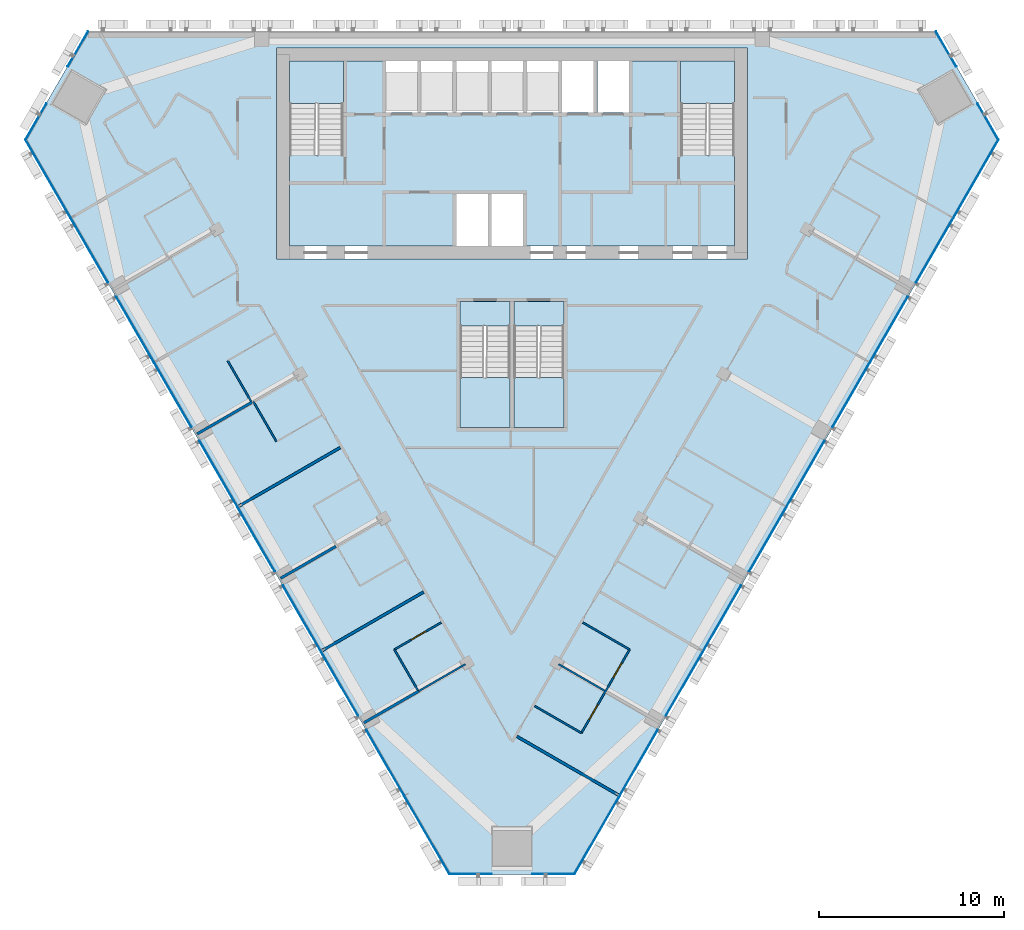
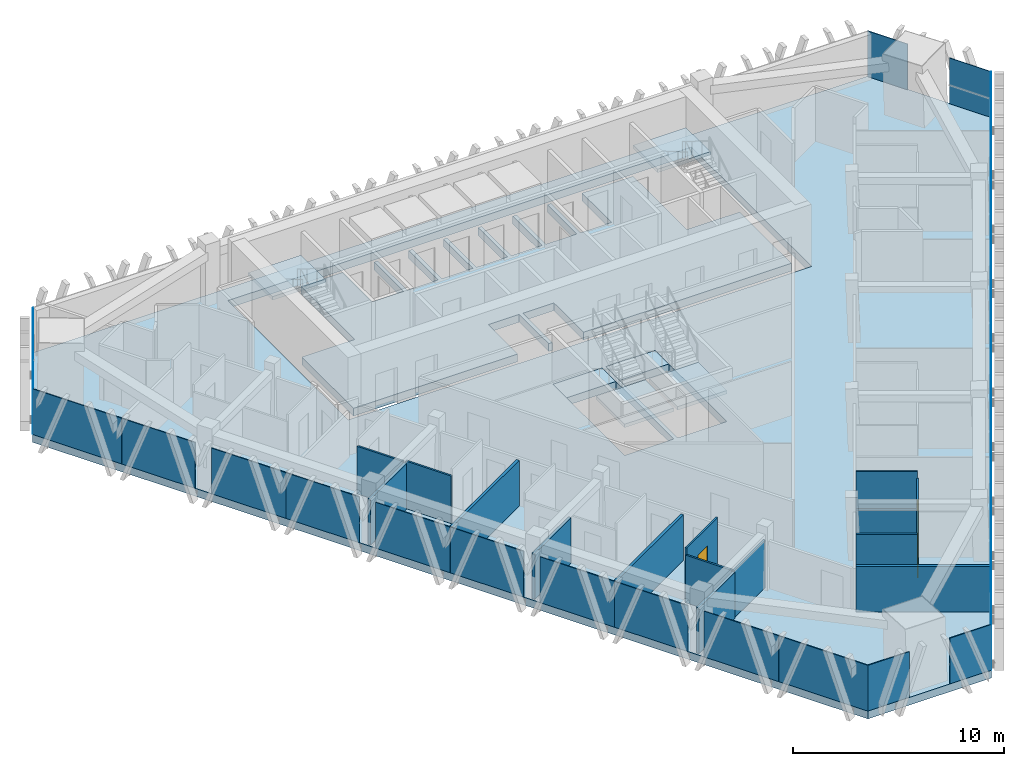
# One storey, part 8 of 16: 26 plates, 15 walls, 8 slabs, 3 doors, 3 openings, 9 elements without a shape of their own.
"""IFC4 building model written with IfcOpenShell, lengths in metres."""

from ifc_helpers import new_model, si_unit, direction, frame, frame_2d, origin, origin_2d, place, context, subcontext, project, spatial, polyline, rectangle, outline, extrude, material, layer, layer_set, type_object, element, fill, aggregate, save


model = new_model("IFC4")

# Units and contexts
model_context = context("Model", 3, precision=1e-05, world=origin(), true_north=direction((0.0, 1.0)))
body_context = subcontext(model_context, "Body", "Model", "MODEL_VIEW")
ifc_project = project(units=[si_unit("LENGTHUNIT", "METRE"), si_unit("AREAUNIT", "SQUARE_METRE"), si_unit("VOLUMEUNIT", "CUBIC_METRE"), si_unit("PLANEANGLEUNIT", "RADIAN"), si_unit("MASSUNIT", "GRAM", prefix="KILO")], contexts=[model_context])

# Site, building, storey
site_placement = place(None, origin())
site = spatial("IfcSite", under=ifc_project, at=site_placement, CompositionType="ELEMENT")
building_placement = place(site_placement, origin())
building = spatial("IfcBuilding", under=site, at=building_placement, Name="Altiplano Prism Tower", CompositionType="ELEMENT")
storey_placement = place(building_placement, frame((0.0, 0.0, 178.199951171875)))
storey = spatial("IfcBuildingStorey", under=building, at=storey_placement, Name="L46", CompositionType="ELEMENT", Elevation=178.199951171875)

# Curtain wall, plates
ifc_material_1 = material(Name="Aluminium and glass", Category="aluminium")
ifc_layer_1 = layer(ifc_material_1, 0.280029296875)
ifc_layer_set_1 = layer_set([ifc_layer_1], Name="Aluminium and glass")
curtain_wall_type = type_object("IfcCurtainWallType", Name="CW1 typical co-living unitised curtain wall", PredefinedType="NOTDEFINED", material=ifc_layer_set_1)
curtain_wall_1_placement = place(storey_placement, origin())
curtain_wall_1 = element("IfcCurtainWall", 1, at=curtain_wall_1_placement, inside=storey, type_object=curtain_wall_type, Name="CW1 curtain wall north-west chamfer L46", PredefinedType="NOTDEFINED")
ifc_material_2 = material(Name="Clear glass", Category="glass")
ifc_layer_2 = layer(ifc_material_2, 0.0400390625)
ifc_layer_set_2 = layer_set([ifc_layer_2], Name="Clear glass")
plate_type = type_object("IfcPlateType", Name="CW1 insulated glass unit 40", PredefinedType="CURTAIN_PANEL", material=ifc_layer_set_2)
plate_1_placement = place(storey_placement, frame((61.579833984375, 104.035888671875, 0.0), z_axis=(0.0, 0.0, 1.0), x_axis=(-0.500000021887, -0.866025391148, 0.0)))
plate_1 = element("IfcPlate", 2, at=plate_1_placement, type_object=plate_type, Name="CW1 panel", PredefinedType="CURTAIN_PANEL", context=body_context, shape_type="SweptSolid", body=[
    extrude(rectangle(XDim=2.193603515625, YDim=0.0400390625, at=origin_2d()), origin(), (0.0, 0.0, 1.0), 2.64990234375),
])
plate_2_placement = place(storey_placement, frame((59.31787109375, 100.1181640625, 0.0), z_axis=(0.0, 0.0, 1.0), x_axis=(-0.500000021887, -0.866025391148, 0.0)))
plate_2 = element("IfcPlate", 3, at=plate_2_placement, type_object=plate_type, Name="CW1 panel", PredefinedType="CURTAIN_PANEL", context=body_context, shape_type="SweptSolid", body=[
    extrude(rectangle(XDim=2.273681640625, YDim=0.0400390625, at=origin_2d()), origin(), (0.0, 0.0, 1.0), 2.64990234375),
])
aggregate(curtain_wall_1, [plate_1, plate_2])

curtain_wall_2_placement = place(storey_placement, origin())
curtain_wall_2 = element("IfcCurtainWall", 4, at=curtain_wall_2_placement, inside=storey, type_object=curtain_wall_type, Name="CW1 curtain wall south-west face L46", PredefinedType="NOTDEFINED")
plate_3_placement = place(storey_placement, frame((59.96875, 97.033447265625, 0.0), z_axis=(0.0, 0.0, 1.0), x_axis=(0.499999995995, -0.866025406097, 0.0)))
plate_3 = element("IfcPlate", 5, at=plate_3_placement, type_object=plate_type, Name="CW1 panel", PredefinedType="CURTAIN_PANEL", context=body_context, shape_type="SweptSolid", body=[
    extrude(rectangle(XDim=4.876708984375, YDim=0.0400390625, at=origin_2d()), origin(), (0.0, 0.0, 1.0), 2.64990234375),
])
plate_4_placement = place(storey_placement, frame((62.195556640625, 93.176513671875, 0.0), z_axis=(0.0, 0.0, 1.0), x_axis=(0.499999995995, -0.866025406097, 0.0)))
plate_4 = element("IfcPlate", 6, at=plate_4_placement, type_object=plate_type, Name="CW1 panel", PredefinedType="CURTAIN_PANEL", context=body_context, shape_type="SweptSolid", body=[
    extrude(rectangle(XDim=4.010498046875, YDim=0.0400390625, at=origin_2d()), origin(), (0.0, 0.0, 1.0), 2.64990234375),
])
plate_5_placement = place(storey_placement, frame((64.66552734375, 88.898193359375, 0.0), z_axis=(0.0, 0.0, 1.0), x_axis=(0.499999995995, -0.866025406097, 0.0)))
plate_5 = element("IfcPlate", 7, at=plate_5_placement, type_object=plate_type, Name="CW1 panel", PredefinedType="CURTAIN_PANEL", context=body_context, shape_type="SweptSolid", body=[
    extrude(rectangle(XDim=4.08935546875, YDim=0.0400390625, at=origin_2d()), origin(), (0.0, 0.0, 1.0), 2.64990234375),
])
plate_6_placement = place(storey_placement, frame((66.695556640625, 85.38232421875, 0.0), z_axis=(0.0, 0.0, 1.0), x_axis=(0.499999995995, -0.866025406097, 0.0)))
plate_6 = element("IfcPlate", 8, at=plate_6_placement, type_object=plate_type, Name="CW1 panel", PredefinedType="CURTAIN_PANEL", context=body_context, shape_type="SweptSolid", body=[
    extrude(rectangle(XDim=4.010498046875, YDim=0.0400390625, at=origin_2d()), origin(), (0.0, 0.0, 1.0), 2.64990234375),
])
plate_7_placement = place(storey_placement, frame((69.16552734375, 81.10400390625, 0.0), z_axis=(0.0, 0.0, 1.0), x_axis=(0.499999995995, -0.866025406097, 0.0)))
plate_7 = element("IfcPlate", 9, at=plate_7_placement, type_object=plate_type, Name="CW1 panel", PredefinedType="CURTAIN_PANEL", context=body_context, shape_type="SweptSolid", body=[
    extrude(rectangle(XDim=4.08935546875, YDim=0.0400390625, at=origin_2d()), origin(), (0.0, 0.0, 1.0), 2.64990234375),
])
plate_8_placement = place(storey_placement, frame((71.195556640625, 77.588134765625, 0.0), z_axis=(0.0, 0.0, 1.0), x_axis=(0.499999995995, -0.866025406097, 0.0)))
plate_8 = element("IfcPlate", 10, at=plate_8_placement, type_object=plate_type, Name="CW1 panel", PredefinedType="CURTAIN_PANEL", context=body_context, shape_type="SweptSolid", body=[
    extrude(rectangle(XDim=4.010498046875, YDim=0.0400390625, at=origin_2d()), origin(), (0.0, 0.0, 1.0), 2.64990234375),
])
plate_9_placement = place(storey_placement, frame((73.66552734375, 73.309814453125, 0.0), z_axis=(0.0, 0.0, 1.0), x_axis=(0.499999995995, -0.866025406097, 0.0)))
plate_9 = element("IfcPlate", 11, at=plate_9_placement, type_object=plate_type, Name="CW1 panel", PredefinedType="CURTAIN_PANEL", context=body_context, shape_type="SweptSolid", body=[
    extrude(rectangle(XDim=4.08935546875, YDim=0.0400390625, at=origin_2d()), origin(), (0.0, 0.0, 1.0), 2.64990234375),
])
plate_10_placement = place(storey_placement, frame((75.695556640625, 69.793701171875, 0.0), z_axis=(0.0, 0.0, 1.0), x_axis=(0.499999995995, -0.866025406097, 0.0)))
plate_10 = element("IfcPlate", 12, at=plate_10_placement, type_object=plate_type, Name="CW1 panel", PredefinedType="CURTAIN_PANEL", context=body_context, shape_type="SweptSolid", body=[
    extrude(rectangle(XDim=4.010498046875, YDim=0.0400390625, at=origin_2d()), origin(), (0.0, 0.0, 1.0), 2.64990234375),
])
plate_11_placement = place(storey_placement, frame((78.16552734375, 65.515625, 0.0), z_axis=(0.0, 0.0, 1.0), x_axis=(0.499999995995, -0.866025406097, 0.0)))
plate_11 = element("IfcPlate", 13, at=plate_11_placement, type_object=plate_type, Name="CW1 panel", PredefinedType="CURTAIN_PANEL", context=body_context, shape_type="SweptSolid", body=[
    extrude(rectangle(XDim=4.08935546875, YDim=0.0400390625, at=origin_2d()), origin(), (0.0, 0.0, 1.0), 2.64990234375),
])
plate_12_placement = place(storey_placement, frame((80.412109375, 61.62451171875, 0.0), z_axis=(0.0, 0.0, 1.0), x_axis=(0.499999995995, -0.866025406097, 0.0)))
plate_12 = element("IfcPlate", 14, at=plate_12_placement, type_object=plate_type, Name="CW1 panel", PredefinedType="CURTAIN_PANEL", context=body_context, shape_type="SweptSolid", body=[
    extrude(rectangle(XDim=4.876708984375, YDim=0.0400390625, at=origin_2d()), origin(), (0.0, 0.0, 1.0), 2.64990234375),
])
aggregate(curtain_wall_2, [plate_3, plate_4, plate_5, plate_6, plate_7, plate_8, plate_9, plate_10, plate_11, plate_12])

curtain_wall_3_placement = place(storey_placement, origin())
curtain_wall_3 = element("IfcCurtainWall", 15, at=curtain_wall_3_placement, inside=storey, type_object=curtain_wall_type, Name="CW1 curtain wall south chamfer L46", PredefinedType="NOTDEFINED")
plate_13_placement = place(storey_placement, frame((82.75830078125, 59.5185546875, 0.0), z_axis=(0.0, 0.0, 1.0), x_axis=(1.0, 0.0, 0.0)))
plate_13 = element("IfcPlate", 16, at=plate_13_placement, type_object=plate_type, Name="CW1 panel", PredefinedType="CURTAIN_PANEL", context=body_context, shape_type="SweptSolid", body=[
    extrude(rectangle(XDim=2.273681640625, YDim=0.0400390625, at=origin_2d()), origin(), (0.0, 0.0, 1.0), 2.64990234375),
])
plate_14_placement = place(storey_placement, frame((87.24169921875, 59.5185546875, 0.0), z_axis=(0.0, 0.0, 1.0), x_axis=(1.0, 0.0, 0.0)))
plate_14 = element("IfcPlate", 17, at=plate_14_placement, type_object=plate_type, Name="CW1 panel", PredefinedType="CURTAIN_PANEL", context=body_context, shape_type="SweptSolid", body=[
    extrude(rectangle(XDim=2.273681640625, YDim=0.0400390625, at=origin_2d()), origin(), (0.0, 0.0, 1.0), 2.64990234375),
])
aggregate(curtain_wall_3, [plate_13, plate_14])

curtain_wall_4_placement = place(storey_placement, origin())
curtain_wall_4 = element("IfcCurtainWall", 18, at=curtain_wall_4_placement, inside=storey, type_object=curtain_wall_type, Name="CW1 curtain wall south-east face L46", PredefinedType="NOTDEFINED")
plate_15_placement = place(storey_placement, frame((89.587890625, 61.62451171875, 0.0), z_axis=(0.0, 0.0, 1.0), x_axis=(0.499999995995, 0.866025406097, 0.0)))
plate_15 = element("IfcPlate", 19, at=plate_15_placement, type_object=plate_type, Name="CW1 panel", PredefinedType="CURTAIN_PANEL", context=body_context, shape_type="SweptSolid", body=[
    extrude(rectangle(XDim=4.876708984375, YDim=0.0400390625, at=origin_2d()), origin(), (0.0, 0.0, 1.0), 2.64990234375),
])
plate_16_placement = place(storey_placement, frame((91.83447265625, 65.515625, 0.0), z_axis=(0.0, 0.0, 1.0), x_axis=(0.499999995995, 0.866025406097, 0.0)))
plate_16 = element("IfcPlate", 20, at=plate_16_placement, type_object=plate_type, Name="CW1 panel", PredefinedType="CURTAIN_PANEL", context=body_context, shape_type="SweptSolid", body=[
    extrude(rectangle(XDim=4.08935546875, YDim=0.0400390625, at=origin_2d()), origin(), (0.0, 0.0, 1.0), 2.64990234375),
])
plate_17_placement = place(storey_placement, frame((94.304443359375, 69.793701171875, 0.0), z_axis=(0.0, 0.0, 1.0), x_axis=(0.499999995995, 0.866025406097, 0.0)))
plate_17 = element("IfcPlate", 21, at=plate_17_placement, type_object=plate_type, Name="CW1 panel", PredefinedType="CURTAIN_PANEL", context=body_context, shape_type="SweptSolid", body=[
    extrude(rectangle(XDim=4.010498046875, YDim=0.0400390625, at=origin_2d()), origin(), (0.0, 0.0, 1.0), 2.64990234375),
])
plate_18_placement = place(storey_placement, frame((96.33447265625, 73.309814453125, 0.0), z_axis=(0.0, 0.0, 1.0), x_axis=(0.499999995995, 0.866025406097, 0.0)))
plate_18 = element("IfcPlate", 22, at=plate_18_placement, type_object=plate_type, Name="CW1 panel", PredefinedType="CURTAIN_PANEL", context=body_context, shape_type="SweptSolid", body=[
    extrude(rectangle(XDim=4.08935546875, YDim=0.0400390625, at=origin_2d()), origin(), (0.0, 0.0, 1.0), 2.64990234375),
])
plate_19_placement = place(storey_placement, frame((98.804443359375, 77.588134765625, 0.0), z_axis=(0.0, 0.0, 1.0), x_axis=(0.499999995995, 0.866025406097, 0.0)))
plate_19 = element("IfcPlate", 23, at=plate_19_placement, type_object=plate_type, Name="CW1 panel", PredefinedType="CURTAIN_PANEL", context=body_context, shape_type="SweptSolid", body=[
    extrude(rectangle(XDim=4.010498046875, YDim=0.0400390625, at=origin_2d()), origin(), (0.0, 0.0, 1.0), 2.64990234375),
])
plate_20_placement = place(storey_placement, frame((100.83447265625, 81.10400390625, 0.0), z_axis=(0.0, 0.0, 1.0), x_axis=(0.499999995995, 0.866025406097, 0.0)))
plate_20 = element("IfcPlate", 24, at=plate_20_placement, type_object=plate_type, Name="CW1 panel", PredefinedType="CURTAIN_PANEL", context=body_context, shape_type="SweptSolid", body=[
    extrude(rectangle(XDim=4.08935546875, YDim=0.0400390625, at=origin_2d()), origin(), (0.0, 0.0, 1.0), 2.64990234375),
])
plate_21_placement = place(storey_placement, frame((103.304443359375, 85.38232421875, 0.0), z_axis=(0.0, 0.0, 1.0), x_axis=(0.499999995995, 0.866025406097, 0.0)))
plate_21 = element("IfcPlate", 25, at=plate_21_placement, type_object=plate_type, Name="CW1 panel", PredefinedType="CURTAIN_PANEL", context=body_context, shape_type="SweptSolid", body=[
    extrude(rectangle(XDim=4.010498046875, YDim=0.0400390625, at=origin_2d()), origin(), (0.0, 0.0, 1.0), 2.64990234375),
])
plate_22_placement = place(storey_placement, frame((105.33447265625, 88.898193359375, 0.0), z_axis=(0.0, 0.0, 1.0), x_axis=(0.499999995995, 0.866025406097, 0.0)))
plate_22 = element("IfcPlate", 26, at=plate_22_placement, type_object=plate_type, Name="CW1 panel", PredefinedType="CURTAIN_PANEL", context=body_context, shape_type="SweptSolid", body=[
    extrude(rectangle(XDim=4.08935546875, YDim=0.0400390625, at=origin_2d()), origin(), (0.0, 0.0, 1.0), 2.64990234375),
])
plate_23_placement = place(storey_placement, frame((107.804443359375, 93.176513671875, 0.0), z_axis=(0.0, 0.0, 1.0), x_axis=(0.499999995995, 0.866025406097, 0.0)))
plate_23 = element("IfcPlate", 27, at=plate_23_placement, type_object=plate_type, Name="CW1 panel", PredefinedType="CURTAIN_PANEL", context=body_context, shape_type="SweptSolid", body=[
    extrude(rectangle(XDim=4.010498046875, YDim=0.0400390625, at=origin_2d()), origin(), (0.0, 0.0, 1.0), 2.64990234375),
])
plate_24_placement = place(storey_placement, frame((110.03125, 97.033447265625, 0.0), z_axis=(0.0, 0.0, 1.0), x_axis=(0.499999995995, 0.866025406097, 0.0)))
plate_24 = element("IfcPlate", 28, at=plate_24_placement, type_object=plate_type, Name="CW1 panel", PredefinedType="CURTAIN_PANEL", context=body_context, shape_type="SweptSolid", body=[
    extrude(rectangle(XDim=4.876708984375, YDim=0.0400390625, at=origin_2d()), origin(), (0.0, 0.0, 1.0), 2.64990234375),
])
aggregate(curtain_wall_4, [plate_15, plate_16, plate_17, plate_18, plate_19, plate_20, plate_21, plate_22, plate_23, plate_24])

curtain_wall_5_placement = place(storey_placement, origin())
curtain_wall_5 = element("IfcCurtainWall", 29, at=curtain_wall_5_placement, inside=storey, type_object=curtain_wall_type, Name="CW1 curtain wall north-east chamfer L46", PredefinedType="NOTDEFINED")
plate_25_placement = place(storey_placement, frame((110.68212890625, 100.1181640625, 0.0), z_axis=(0.0, 0.0, 1.0), x_axis=(-0.500000021887, 0.866025391148, 0.0)))
plate_25 = element("IfcPlate", 30, at=plate_25_placement, type_object=plate_type, Name="CW1 panel", PredefinedType="CURTAIN_PANEL", context=body_context, shape_type="SweptSolid", body=[
    extrude(rectangle(XDim=2.273681640625, YDim=0.0400390625, at=origin_2d()), origin(), (0.0, 0.0, 1.0), 2.64990234375),
])
plate_26_placement = place(storey_placement, frame((108.420166015625, 104.035888671875, 0.0), z_axis=(0.0, 0.0, 1.0), x_axis=(-0.500000021887, 0.866025391148, 0.0)))
plate_26 = element("IfcPlate", 31, at=plate_26_placement, type_object=plate_type, Name="CW1 panel", PredefinedType="CURTAIN_PANEL", context=body_context, shape_type="SweptSolid", body=[
    extrude(rectangle(XDim=2.193603515625, YDim=0.0400390625, at=origin_2d()), origin(), (0.0, 0.0, 1.0), 2.64990234375),
])
aggregate(curtain_wall_5, [plate_25, plate_26])

# Slabs
ifc_material_3 = material(Name="Concrete C40/50", Category="concrete")
ifc_layer_3 = layer(ifc_material_3, 0.449951171875)
ifc_layer_set_3 = layer_set([ifc_layer_3], Name="Concrete C40/50")
slab_type_1 = type_object("IfcSlabType", Name="Core floor slab 450", PredefinedType="FLOOR", material=ifc_layer_set_3)
slab_1_placement = place(storey_placement, frame((0.0, 0.0, -0.449951171875)))
element("IfcSlab", 32, at=slab_1_placement, inside=storey, type_object=slab_type_1, Name="Core floor slab L46", PredefinedType="FLOOR", context=body_context, shape_type="SweptSolid", body=[
    extrude(outline(polyline([(97.0, 98.31005859375), (94.10009765625, 98.31005859375), (94.10009765625, 103.39990234375), (91.300048828125, 103.39990234375), (91.300048828125, 100.60009765625), (89.60009765625, 100.60009765625), (89.60009765625, 103.39990234375), (89.39990234375, 103.39990234375), (89.39990234375, 100.60009765625), (87.699951171875, 100.60009765625), (87.699951171875, 103.39990234375), (87.5, 103.39990234375), (87.5, 100.60009765625), (85.800048828125, 100.60009765625), (85.800048828125, 103.39990234375), (85.60009765625, 103.39990234375), (85.60009765625, 100.60009765625), (83.89990234375, 100.60009765625), (83.89990234375, 103.39990234375), (83.699951171875, 103.39990234375), (83.699951171875, 100.60009765625), (82.0, 100.60009765625), (82.0, 103.39990234375), (81.800048828125, 103.39990234375), (81.800048828125, 100.60009765625), (80.10009765625, 100.60009765625), (80.10009765625, 103.39990234375), (79.89990234375, 103.39990234375), (79.89990234375, 100.60009765625), (78.199951171875, 100.60009765625), (78.199951171875, 103.39990234375), (75.89990234375, 103.39990234375), (75.89990234375, 98.31005859375), (73.0, 98.31005859375), (73.0, 93.39990234375), (82.0, 93.39990234375), (82.0, 96.199951171875), (83.699951171875, 96.199951171875), (83.699951171875, 93.39990234375), (83.89990234375, 93.39990234375), (83.89990234375, 96.199951171875), (85.60009765625, 96.199951171875), (85.60009765625, 93.39990234375), (97.0, 93.39990234375), (97.0, 98.31005859375)])), origin(), (0.0, 0.0, 1.0), 0.449951171875),
])
slab_2_placement = place(storey_placement, frame((0.0, 0.0, -0.449951171875)))
element("IfcSlab", 33, at=slab_2_placement, inside=storey, type_object=slab_type_1, Name="Stair 3A landing slab L46", PredefinedType="FLOOR", context=body_context, shape_type="SweptSolid", body=[
    extrude(outline(polyline([(82.199951171875, 89.096923828125), (84.89990234375, 89.096923828125), (84.89990234375, 90.39990234375), (82.199951171875, 90.39990234375), (82.199951171875, 89.096923828125)])), origin(), (0.0, 0.0, 1.0), 0.449951171875),
])
slab_3_placement = place(storey_placement, frame((0.0, 0.0, -0.449951171875)))
element("IfcSlab", 34, at=slab_3_placement, inside=storey, type_object=slab_type_1, Name="Stair 3B landing slab L46", PredefinedType="FLOOR", context=body_context, shape_type="SweptSolid", body=[
    extrude(outline(polyline([(85.10009765625, 89.096923828125), (87.800048828125, 89.096923828125), (87.800048828125, 90.39990234375), (85.10009765625, 90.39990234375), (85.10009765625, 89.096923828125)])), origin(), (0.0, 0.0, 1.0), 0.449951171875),
])
ifc_layer_4 = layer(ifc_material_3, 0.449951171875)
ifc_layer_set_4 = layer_set([ifc_layer_4], Name="Concrete C40/50")
slab_type_2 = type_object("IfcSlabType", Name="Post-tensioned flat slab 450", PredefinedType="FLOOR", material=ifc_layer_set_4)
slab_4_placement = place(storey_placement, frame((0.0, 0.0, -0.449951171875)))
element("IfcSlab", 35, at=slab_4_placement, inside=storey, type_object=slab_type_2, Name="Floor slab L46", PredefinedType="FLOOR", context=body_context, shape_type="SweptSolid", body=[
    extrude(outline(polyline([(81.616455078125, 59.49853515625), (58.729736328125, 99.139404296875), (62.11328125, 105.0), (107.88671875, 105.0), (111.270263671875, 99.139404296875), (88.383544921875, 59.49853515625), (81.616455078125, 59.49853515625)]), holes=[polyline([(72.300048828125, 104.10009765625), (72.300048828125, 92.699951171875), (97.699951171875, 92.699951171875), (97.699951171875, 104.10009765625), (72.300048828125, 104.10009765625)]), polyline([(84.89990234375, 90.39990234375), (82.199951171875, 90.39990234375), (82.199951171875, 83.60009765625), (84.89990234375, 83.60009765625), (84.89990234375, 90.39990234375)]), polyline([(87.800048828125, 83.60009765625), (87.800048828125, 90.39990234375), (85.10009765625, 90.39990234375), (85.10009765625, 83.60009765625), (87.800048828125, 83.60009765625)])]), origin(), (0.0, 0.0, 1.0), 0.449951171875),
])

# Stair, slab
stair_type_1 = type_object("IfcStairType", Name="Exit stair 1400", PredefinedType="HALF_TURN_STAIR", material=ifc_material_3)
stair_1_placement = place(storey_placement, origin())
stair_1 = element("IfcStair", 36, at=stair_1_placement, inside=storey, type_object=stair_type_1, Name="L46 Exit Stair 1", PredefinedType="HALF_TURN_STAIR")
ifc_layer_5 = layer(ifc_material_3, 0.199951171875)
ifc_layer_set_5 = layer_set([ifc_layer_5], Name="Concrete C40/50")
slab_type_3 = type_object("IfcSlabType", Name="Stair landing 200", PredefinedType="LANDING", material=ifc_layer_set_5)
slab_5_placement = place(storey_placement, frame((0.0, 0.0, 1.60009765625)))
slab_5 = element("IfcSlab", 37, at=slab_5_placement, type_object=slab_type_3, Name="ST1 landing 1", PredefinedType="LANDING", context=body_context, shape_type="SweptSolid", body=[
    extrude(outline(polyline([(75.89990234375, 101.096923828125), (75.89990234375, 103.39990234375), (73.0, 103.39990234375), (73.0, 101.096923828125), (75.89990234375, 101.096923828125)])), origin(), (0.0, 0.0, 1.0), 0.199951171875),
])
aggregate(stair_1, [slab_5])

stair_2_placement = place(storey_placement, origin())
stair_2 = element("IfcStair", 38, at=stair_2_placement, inside=storey, type_object=stair_type_1, Name="L46 Exit Stair 2", PredefinedType="HALF_TURN_STAIR")
slab_6_placement = place(storey_placement, frame((0.0, 0.0, 1.60009765625)))
slab_6 = element("IfcSlab", 39, at=slab_6_placement, type_object=slab_type_3, Name="ST2 landing 1", PredefinedType="LANDING", context=body_context, shape_type="SweptSolid", body=[
    extrude(outline(polyline([(97.0, 101.096923828125), (97.0, 103.39990234375), (94.10009765625, 103.39990234375), (94.10009765625, 101.096923828125), (97.0, 101.096923828125)])), origin(), (0.0, 0.0, 1.0), 0.199951171875),
])
aggregate(stair_2, [slab_6])

stair_type_2 = type_object("IfcStairType", Name="Exit stair 1300", PredefinedType="HALF_TURN_STAIR", material=ifc_material_3)
stair_3_placement = place(storey_placement, origin())
stair_3 = element("IfcStair", 40, at=stair_3_placement, inside=storey, type_object=stair_type_2, Name="L46 Exit Stair 3A", PredefinedType="HALF_TURN_STAIR")
slab_7_placement = place(storey_placement, frame((0.0, 0.0, 1.60009765625)))
slab_7 = element("IfcSlab", 41, at=slab_7_placement, type_object=slab_type_3, Name="ST3A landing 1", PredefinedType="LANDING", context=body_context, shape_type="SweptSolid", body=[
    extrude(outline(polyline([(82.199951171875, 86.302978515625), (82.199951171875, 83.60009765625), (84.89990234375, 83.60009765625), (84.89990234375, 86.302978515625), (82.199951171875, 86.302978515625)])), origin(), (0.0, 0.0, 1.0), 0.199951171875),
])
aggregate(stair_3, [slab_7])

stair_4_placement = place(storey_placement, origin())
stair_4 = element("IfcStair", 42, at=stair_4_placement, inside=storey, type_object=stair_type_2, Name="L46 Exit Stair 3B", PredefinedType="HALF_TURN_STAIR")
slab_8_placement = place(storey_placement, frame((0.0, 0.0, 1.60009765625)))
slab_8 = element("IfcSlab", 43, at=slab_8_placement, type_object=slab_type_3, Name="ST3B landing 1", PredefinedType="LANDING", context=body_context, shape_type="SweptSolid", body=[
    extrude(outline(polyline([(85.10009765625, 86.302978515625), (85.10009765625, 83.60009765625), (87.800048828125, 83.60009765625), (87.800048828125, 86.302978515625), (85.10009765625, 86.302978515625)])), origin(), (0.0, 0.0, 1.0), 0.199951171875),
])
aggregate(stair_4, [slab_8])

# Walls
ifc_material_4 = material(Name="Plasterboard on steel stud", Category="steel")
ifc_layer_6 = layer(ifc_material_4, 0.10009765625)
ifc_layer_set_6 = layer_set([ifc_layer_6], Name="Plasterboard on steel stud")
wall_type_1 = type_object("IfcWallType", Name="Partition 100 unit", PredefinedType="PARTITIONING", material=ifc_layer_set_6)
wall_1_placement = place(storey_placement, frame((70.91650390625, 85.031005859375, 0.0), z_axis=(0.0, 0.0, 1.0), x_axis=(-0.499976333282, 0.866039067339, 0.0)))
element("IfcWall", 44, at=wall_1_placement, inside=storey, type_object=wall_type_1, Name="Partition P02 L46 052", PredefinedType="PARTITIONING", context=body_context, shape_type="SweptSolid", body=[
    extrude(rectangle(XDim=2.52490234375, YDim=0.10009765625, at=frame_2d((1.262451171875, 0.0))), origin(), (0.0, 0.0, 1.0), 2.75),
])
wall_2_placement = place(storey_placement, frame((72.290771484375, 82.85107421875, 0.0), z_axis=(0.0, 0.0, 1.0), x_axis=(-0.500004234368, 0.866022959057, 0.0)))
element("IfcWall", 45, at=wall_2_placement, inside=storey, type_object=wall_type_1, Name="Partition P02 L46 057", PredefinedType="PARTITIONING", context=body_context, shape_type="SweptSolid", body=[
    extrude(rectangle(XDim=2.5, YDim=0.10009765625, at=frame_2d((1.25, 0.0))), origin(), (0.0, 0.0, 1.0), 2.75),
])
wall_3_placement = place(storey_placement, frame((79.91650390625, 69.442626953125, 0.0), z_axis=(0.0, 0.0, 1.0), x_axis=(-0.50001820224, 0.866014894461, 0.0)))
element("IfcWall", 46, at=wall_3_placement, inside=storey, type_object=wall_type_1, Name="Partition P02 L46 065", PredefinedType="PARTITIONING", context=body_context, shape_type="SweptSolid", body=[
    extrude(rectangle(XDim=2.52490234375, YDim=0.10009765625, at=frame_2d((1.262451171875, 0.0))), origin(), (0.0, 0.0, 1.0), 2.75),
])

# Wall, opening, door
wall_4_placement = place(storey_placement, frame((78.654052734375, 71.629150390625, 0.0), z_axis=(0.0, 0.0, 1.0), x_axis=(0.86601045545, 0.500025890382, 0.0)))
wall_4 = element("IfcWall", 47, at=wall_4_placement, inside=storey, type_object=wall_type_1, Name="Partition P02 L46 066", PredefinedType="PARTITIONING", context=body_context, shape_type="SweptSolid", body=[
    extrude(rectangle(XDim=2.925048828125, YDim=0.10009765625, at=frame_2d((1.46240234375, 0.0))), origin(), (0.0, 0.0, 1.0), 3.150146484375),
])
opening_1_placement = place(wall_4_placement, frame((1.050048828125, 0.0, 0.0)))
opening_1 = element("IfcOpeningElement", 48, at=opening_1_placement, cuts=wall_4, Name="Opening D1630", PredefinedType="OPENING", context=body_context, shape_type="SweptSolid", body=[
    extrude(rectangle(XDim=0.89990234375, YDim=2.10009765625, at=frame_2d((0.449951171875, 1.050048828125))), frame((0.0, 0.060546875, 0.0), z_axis=(0.0, -1.0, 0.0), x_axis=(1.0, 0.0, 0.0)), (0.0, 0.0, 1.0), 0.12109375),
])
ifc_material_5 = material(Name="Timber", Category="wood")
door_type = type_object("IfcDoorType", Name="Ensuite door 900 x 2100", OperationType="NOTDEFINED", PredefinedType="NOTDEFINED", material=ifc_material_5)
door_1_placement = place(opening_1_placement, origin())
door_1 = element("IfcDoor", 49, at=door_1_placement, inside=storey, type_object=door_type, Name="Door D1630", OperationType="SINGLE_SWING_RIGHT", OverallHeight=2.10009765625, OverallWidth=0.89990234375, PredefinedType="NOTDEFINED", context=body_context, shape_type="SweptSolid", body=[
    extrude(rectangle(XDim=0.89990234375, YDim=2.10009765625, at=frame_2d((0.449951171875, 1.050048828125))), frame((0.0, 0.02490234375, 0.0), z_axis=(0.0, -1.0, 0.0), x_axis=(1.0, 0.0, 0.0)), (0.0, 0.0, 1.0), 0.050048828125),
])
fill(opening_1, door_1)

# Walls
for number, where, z_axis, x_axis, name in (
    (50, (88.745849609375, 67.1259765625, 0.0), (0.0, 0.0, 1.0), (-0.866046596414, 0.499963291492, 0.0), "Partition P02 L46 070"),
    (51, (88.812744140625, 73.091796875, 0.0), (0.0, 0.0, 1.0), (0.86601045545, -0.500025890382, 0.0), "Partition P02 L46 073"),
):
    element("IfcWall", number, at=place(storey_placement, frame(where, z_axis=z_axis, x_axis=x_axis)), inside=storey, type_object=wall_type_1, Name=name, PredefinedType="PARTITIONING", context=body_context, shape_type="SweptSolid", body=[
        extrude(rectangle(XDim=2.925048828125, YDim=0.10009765625, at=frame_2d((1.46240234375, 0.0))), origin(), (0.0, 0.0, 1.0), 3.150146484375),
    ])

# Wall, openings, doors
wall_5_placement = place(storey_placement, frame((91.345947265625, 71.629150390625, 0.0), z_axis=(0.0, 0.0, 1.0), x_axis=(-0.500027264788, -0.866009661879, 0.0)))
wall_5 = element("IfcWall", 52, at=wall_5_placement, inside=storey, type_object=wall_type_1, Name="Partition P02 L46 074", PredefinedType="PARTITIONING", context=body_context, shape_type="SweptSolid", body=[
    extrude(rectangle(XDim=5.199951171875, YDim=0.10009765625, at=frame_2d((2.60009765625, 0.0))), origin(), (0.0, 0.0, 1.0), 2.75),
])
opening_2_placement = place(wall_5_placement, frame((3.449951171875, 0.0, 0.0)))
opening_2 = element("IfcOpeningElement", 53, at=opening_2_placement, cuts=wall_5, Name="Opening D1633", PredefinedType="OPENING", context=body_context, shape_type="SweptSolid", body=[
    extrude(rectangle(XDim=0.89990234375, YDim=2.10009765625, at=frame_2d((0.449951171875, 1.050048828125))), frame((0.0, 0.060546875, 0.0), z_axis=(0.0, -1.0, 0.0), x_axis=(1.0, 0.0, 0.0)), (0.0, 0.0, 1.0), 0.12109375),
])
opening_3_placement = place(wall_5_placement, frame((0.85009765625, 0.0, 0.0)))
opening_3 = element("IfcOpeningElement", 54, at=opening_3_placement, cuts=wall_5, Name="Opening D1635", PredefinedType="OPENING", context=body_context, shape_type="SweptSolid", body=[
    extrude(rectangle(XDim=0.89990234375, YDim=2.10009765625, at=frame_2d((0.449951171875, 1.050048828125))), frame((0.0, 0.060546875, 0.0), z_axis=(0.0, -1.0, 0.0), x_axis=(1.0, 0.0, 0.0)), (0.0, 0.0, 1.0), 0.12109375),
])
door_2_placement = place(opening_2_placement, origin())
door_2 = element("IfcDoor", 55, at=door_2_placement, inside=storey, type_object=door_type, Name="Door D1633", OperationType="SINGLE_SWING_RIGHT", OverallHeight=2.10009765625, OverallWidth=0.89990234375, PredefinedType="NOTDEFINED", context=body_context, shape_type="SweptSolid", body=[
    extrude(rectangle(XDim=0.89990234375, YDim=2.10009765625, at=frame_2d((0.449951171875, 1.050048828125))), frame((0.0, 0.02490234375, 0.0), z_axis=(0.0, -1.0, 0.0), x_axis=(1.0, 0.0, 0.0)), (0.0, 0.0, 1.0), 0.050048828125),
])
fill(opening_2, door_2)
door_3_placement = place(opening_3_placement, origin())
door_3 = element("IfcDoor", 56, at=door_3_placement, inside=storey, type_object=door_type, Name="Door D1635", OperationType="SINGLE_SWING_RIGHT", OverallHeight=2.10009765625, OverallWidth=0.89990234375, PredefinedType="NOTDEFINED", context=body_context, shape_type="SweptSolid", body=[
    extrude(rectangle(XDim=0.89990234375, YDim=2.10009765625, at=frame_2d((0.449951171875, 1.050048828125))), frame((0.0, 0.02490234375, 0.0), z_axis=(0.0, -1.0, 0.0), x_axis=(1.0, 0.0, 0.0)), (0.0, 0.0, 1.0), 0.050048828125),
])
fill(opening_3, door_3)

# Walls
ifc_layer_7 = layer(ifc_material_4, 0.10009765625)
ifc_layer_set_7 = layer_set([ifc_layer_7], Name="Plasterboard on steel stud")
wall_type_2 = type_object("IfcWallType", Name="Partition 100 wet", PredefinedType="PARTITIONING", material=ifc_layer_set_7)
wall_6_placement = place(storey_placement, frame((79.971435546875, 69.3876953125, 0.0), z_axis=(0.0, 0.0, 1.0), x_axis=(0.866047038303, 0.499962526042, 0.0)))
element("IfcWall", 57, at=wall_6_placement, inside=storey, type_object=wall_type_2, Name="Partition P03 L46 068", PredefinedType="PARTITIONING", context=body_context, shape_type="SweptSolid", body=[
    extrude(rectangle(XDim=2.905029296875, YDim=0.10009765625, at=frame_2d((1.45263671875, 0.0))), origin(), (0.0, 0.0, 1.0), 2.75),
])
wall_7_placement = place(storey_placement, frame((90.002685546875, 69.402587890625, 0.0), z_axis=(0.0, 0.0, 1.0), x_axis=(-0.866039941686, 0.499974818771, 0.0)))
element("IfcWall", 58, at=wall_7_placement, inside=storey, type_object=wall_type_2, Name="Partition P03 L46 072", PredefinedType="PARTITIONING", context=body_context, shape_type="SweptSolid", body=[
    extrude(rectangle(XDim=2.875244140625, YDim=0.10009765625, at=frame_2d((1.4375, 0.0))), origin(), (0.0, 0.0, 1.0), 2.75),
])
ifc_layer_8 = layer(ifc_material_4, 0.14990234375)
ifc_layer_set_8 = layer_set([ifc_layer_8], Name="Plasterboard on steel stud")
wall_type_3 = type_object("IfcWallType", Name="Partition 150 party", PredefinedType="PARTITIONING", material=ifc_layer_set_8)
wall_8_placement = place(storey_placement, frame((68.009521484375, 83.26611328125, 0.0), z_axis=(0.0, 0.0, 1.0), x_axis=(0.866038183914, 0.499977863513, 0.0)))
element("IfcWall", 59, at=wall_8_placement, inside=storey, type_object=wall_type_3, Name="Partition P01 L46 054", PredefinedType="PARTITIONING", context=body_context, shape_type="SweptSolid", body=[
    extrude(rectangle(XDim=3.420166015625, YDim=0.14990234375, at=frame_2d((1.7099609375, 0.0))), origin(), (0.0, 0.0, 1.0), 2.650146484375),
])
wall_9_placement = place(storey_placement, frame((70.2421875, 79.35888671875, 0.0), z_axis=(0.0, 0.0, 1.0), x_axis=(0.866025401434, 0.500000004071, 0.0)))
element("IfcWall", 60, at=wall_9_placement, inside=storey, type_object=wall_type_3, Name="Partition P01 L46 058", PredefinedType="PARTITIONING", context=body_context, shape_type="SweptSolid", body=[
    extrude(rectangle(XDim=6.34521484375, YDim=0.14990234375, at=frame_2d((3.172607421875, 0.0))), origin(), (0.0, 0.0, 1.0), 2.650146484375),
])
wall_10_placement = place(storey_placement, frame((72.509521484375, 75.471923828125, 0.0), z_axis=(0.0, 0.0, 1.0), x_axis=(0.866044174857, 0.499967486139, 0.0)))
element("IfcWall", 61, at=wall_10_placement, inside=storey, type_object=wall_type_3, Name="Partition P01 L46 060", PredefinedType="PARTITIONING", context=body_context, shape_type="SweptSolid", body=[
    extrude(rectangle(XDim=3.449951171875, YDim=0.14990234375, at=frame_2d((1.72509765625, 0.0))), origin(), (0.0, 0.0, 1.0), 2.650146484375),
])
wall_11_placement = place(storey_placement, frame((74.7421875, 71.564697265625, 0.0), z_axis=(0.0, 0.0, 1.0), x_axis=(0.866025401434, 0.500000004071, 0.0)))
element("IfcWall", 62, at=wall_11_placement, inside=storey, type_object=wall_type_3, Name="Partition P01 L46 064", PredefinedType="PARTITIONING", context=body_context, shape_type="SweptSolid", body=[
    extrude(rectangle(XDim=6.34521484375, YDim=0.14990234375, at=frame_2d((3.172607421875, 0.0))), origin(), (0.0, 0.0, 1.0), 2.650146484375),
])
wall_12_placement = place(storey_placement, frame((77.009521484375, 67.677490234375, 0.0), z_axis=(0.0, 0.0, 1.0), x_axis=(0.866007273829, 0.50003140069, 0.0)))
element("IfcWall", 63, at=wall_12_placement, inside=storey, type_object=wall_type_3, Name="Partition P01 L46 067", PredefinedType="PARTITIONING", context=body_context, shape_type="SweptSolid", body=[
    extrude(rectangle(XDim=3.420166015625, YDim=0.14990234375, at=frame_2d((1.7099609375, 0.0))), origin(), (0.0, 0.0, 1.0), 2.650146484375),
])
wall_13_placement = place(storey_placement, frame((90.7578125, 63.770263671875, 0.0), z_axis=(0.0, 0.0, 1.0), x_axis=(-0.866025401434, 0.500000004071, 0.0)))
element("IfcWall", 64, at=wall_13_placement, inside=storey, type_object=wall_type_3, Name="Partition P01 L46 069", PredefinedType="PARTITIONING", context=body_context, shape_type="SweptSolid", body=[
    extrude(rectangle(XDim=6.34521484375, YDim=0.14990234375, at=frame_2d((3.172607421875, 0.0))), origin(), (0.0, 0.0, 1.0), 2.650146484375),
])

save(model, "model.ifc")
